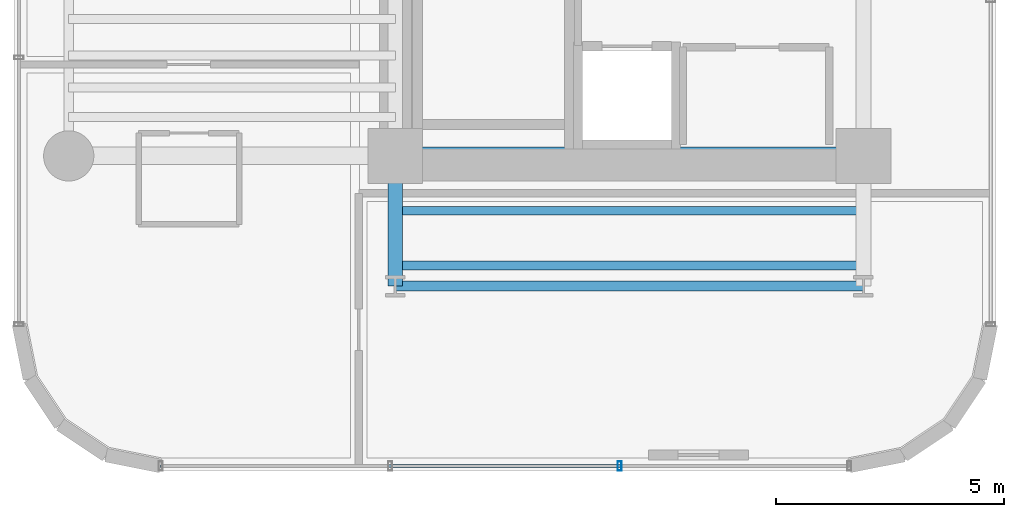
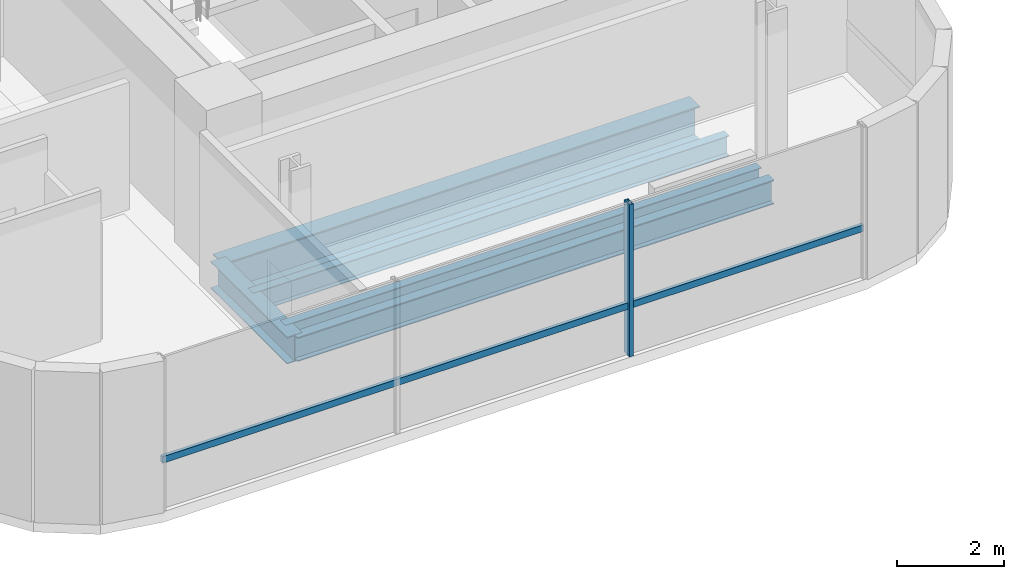
# One storey, part 3 of 35: 5 beams, 2 members, 1 element without a shape of its own.
"""IFC4 building model written with IfcOpenShell, lengths in metres."""

from ifc_helpers import new_model, si_unit, direction, frame, origin, origin_2d, place, context, subcontext, project, spatial, hollow_rectangle, i_section, extrude, source, transform, mapped, material, material_profile, profile_set, type_object, element, aggregate, save


model = new_model("IFC4")

# Units and contexts
model_context = context("Model", 3, precision=1e-05, world=origin(), true_north=direction((0.0, 1.0)))
body_context = subcontext(model_context, "Body", "Model", "MODEL_VIEW")
ifc_project = project(units=[si_unit("LENGTHUNIT", "METRE"), si_unit("AREAUNIT", "SQUARE_METRE"), si_unit("VOLUMEUNIT", "CUBIC_METRE"), si_unit("PLANEANGLEUNIT", "RADIAN"), si_unit("MASSUNIT", "GRAM", prefix="KILO")], contexts=[model_context])

# Site, building, storey
site_placement = place(None, origin())
site = spatial("IfcSite", under=ifc_project, at=site_placement, CompositionType="ELEMENT")
building_placement = place(site_placement, origin())
building = spatial("IfcBuilding", under=site, at=building_placement, Name="Valdorenza Pilgrim Sanctuary Tower", CompositionType="ELEMENT")
storey_placement = place(building_placement, frame((0.0, 0.0, 113.10009765625)))
storey = spatial("IfcBuildingStorey", under=building, at=storey_placement, Name="L28", CompositionType="ELEMENT", Elevation=113.10009765625)

# Beams
ifc_material_1 = material(Name="Steel ASTM A992 Grade 50", Category="steel")
ifc_material_profile_1 = material_profile(ifc_material_1, i_section(OverallWidth=0.214111328125, OverallDepth=0.549072265625, WebThickness=0.0146484375, FlangeThickness=0.023681640625, at=origin_2d()), Name="W21X93")
ifc_profile_set_1 = profile_set([ifc_material_profile_1], Name="Steel ASTM A992 Grade 50")
beam_type_1 = type_object("IfcBeamType", Name="STR-BM-SPN-W21A", PredefinedType="SPANDREL", material=ifc_profile_set_1)
shared_shape_1 = source(origin(), body_context, "Body", "SweptSolid", [
    extrude(i_section(OverallWidth=0.214111328125, OverallDepth=0.549072265625, WebThickness=0.0146484375, FlangeThickness=0.023681640625, at=origin_2d()), origin(), (0.0, 0.0, 1.0), 10.25),
])
beam_1_placement = place(storey_placement, frame((-22.64990234375, -13.449951171875, -0.5146484375), z_axis=(1.0, 0.0, 0.0), x_axis=(0.0, 1.0, 0.0)))
element("IfcBeam", 1, at=beam_1_placement, inside=storey, type_object=beam_type_1, Name="L28 South Spandrel WA-S-TIE", PredefinedType="SPANDREL", context=body_context, shape_type="MappedRepresentation", body=[
    mapped(shared_shape_1, transform((0.0, 0.0, 0.0), x_axis=(1.0, 0.0, 0.0), y_axis=(0.0, 1.0, 0.0), z_axis=(0.0, 0.0, 1.0), scale=1.0)),
])
ifc_material_profile_2 = material_profile(ifc_material_1, i_section(OverallWidth=0.323974609375, OverallDepth=0.611083984375, WebThickness=0.0126953125, FlangeThickness=0.01904296875, at=origin_2d()), Name="W24X104")
ifc_profile_set_2 = profile_set([ifc_material_profile_2], Name="Steel ASTM A992 Grade 50")
beam_type_2 = type_object("IfcBeamType", Name="STR-BM-GRD-W24B", PredefinedType="BEAM", material=ifc_profile_set_2)
shared_shape_2 = source(origin(), body_context, "Body", "SweptSolid", [
    extrude(i_section(OverallWidth=0.323974609375, OverallDepth=0.611083984375, WebThickness=0.0126953125, FlangeThickness=0.01904296875, at=origin_2d()), origin(), (0.0, 0.0, 1.0), 2.849853515625),
])
beam_2_placement = place(storey_placement, frame((-22.64990234375, -13.449951171875, -0.545654296875), z_axis=(0.0, 1.0, 0.0), x_axis=(-1.0, 0.0, 0.0)))
element("IfcBeam", 2, at=beam_2_placement, inside=storey, type_object=beam_type_2, Name="L28 Floor Girder WA-S-LW", PredefinedType="BEAM", context=body_context, shape_type="MappedRepresentation", body=[
    mapped(shared_shape_2, transform((0.0, 0.0, 0.0), x_axis=(1.0, 0.0, 0.0), y_axis=(0.0, 1.0, 0.0), z_axis=(0.0, 0.0, 1.0), scale=1.0)),
])
ifc_material_profile_3 = material_profile(ifc_material_1, i_section(OverallWidth=0.382080078125, OverallDepth=0.779052734375, WebThickness=0.01806640625, FlangeThickness=0.030029296875, at=origin_2d()), Name="W30X191")
ifc_profile_set_3 = profile_set([ifc_material_profile_3], Name="Steel ASTM A992 Grade 50")
beam_type_3 = type_object("IfcBeamType", Name="STR-BM-GRD-W30", PredefinedType="BEAM", material=ifc_profile_set_3)
shared_shape_3 = source(origin(), body_context, "Body", "SweptSolid", [
    extrude(i_section(OverallWidth=0.382080078125, OverallDepth=0.779052734375, WebThickness=0.01806640625, FlangeThickness=0.030029296875, at=origin_2d()), origin(), (0.0, 0.0, 1.0), 10.25),
])
beam_3_placement = place(storey_placement, frame((-22.64990234375, -10.60009765625, -0.629638671875), z_axis=(1.0, 0.0, 0.0), x_axis=(0.0, 1.0, 0.0)))
element("IfcBeam", 3, at=beam_3_placement, inside=storey, type_object=beam_type_3, Name="L28 Floor Girder CA-XC-S1", PredefinedType="BEAM", context=body_context, shape_type="MappedRepresentation", body=[
    mapped(shared_shape_3, transform((0.0, 0.0, 0.0), x_axis=(1.0, 0.0, 0.0), y_axis=(0.0, 1.0, 0.0), z_axis=(0.0, 0.0, 1.0), scale=1.0)),
])
ifc_material_profile_4 = material_profile(ifc_material_1, i_section(OverallWidth=0.19091796875, OverallDepth=0.45703125, WebThickness=0.009033203125, FlangeThickness=0.014404296875, at=origin_2d()), Name="W18X50")
ifc_profile_set_4 = profile_set([ifc_material_profile_4], Name="Steel ASTM A992 Grade 50")
beam_type_4 = type_object("IfcBeamType", Name="STR-BM-JST-W18B", PredefinedType="JOIST", material=ifc_profile_set_4)
shared_shape_4 = source(origin(), body_context, "Body", "SweptSolid", [
    extrude(i_section(OverallWidth=0.19091796875, OverallDepth=0.45703125, WebThickness=0.009033203125, FlangeThickness=0.014404296875, at=origin_2d()), origin(), (0.0, 0.0, 1.0), 10.25),
])
for number, where, z_axis, x_axis, name in (
    (4, (-22.64990234375, -13.0, -0.468505859375), (1.0, 0.0, 0.0), (0.0, 1.0, 0.0), "L28 Composite Floor Joist JST-WAS-1"),
    (5, (-22.64990234375, -11.800048828125, -0.468505859375), (1.0, 0.0, 0.0), (0.0, 1.0, 0.0), "L28 Composite Floor Joist JST-WAS-2"),
):
    element("IfcBeam", number, at=place(storey_placement, frame(where, z_axis=z_axis, x_axis=x_axis)), inside=storey, type_object=beam_type_4, Name=name, PredefinedType="JOIST", context=body_context, shape_type="MappedRepresentation", body=[
        mapped(shared_shape_4, transform((0.0, 0.0, 0.0), x_axis=(1.0, 0.0, 0.0), y_axis=(0.0, 1.0, 0.0), z_axis=(0.0, 0.0, 1.0), scale=1.0)),
    ])

# Curtain wall, members
ifc_material_2 = material(Name="Curtain-wall IGU glazing", Category="glass")
curtain_wall_type = type_object("IfcCurtainWallType", Name="CW-SYS-02", PredefinedType="NOTDEFINED", material=ifc_material_2)
curtain_wall_placement = place(storey_placement, origin())
curtain_wall = element("IfcCurtainWall", 6, at=curtain_wall_placement, inside=storey, type_object=curtain_wall_type, Name="L28 Curtain Wall CW-L28-1-46", PredefinedType="NOTDEFINED")
ifc_material_3 = material(Name="Anodised aluminium AW-6060", Category="aluminium")
ifc_material_profile_5 = material_profile(ifc_material_3, hollow_rectangle(XDim=0.0849609375, YDim=0.199951171875, WallThickness=0.0048828125, at=origin_2d()), Name="ALU-M 200x85x5")
ifc_profile_set_5 = profile_set([ifc_material_profile_5], Name="Anodised aluminium AW-6060")
member_type_1 = type_object("IfcMemberType", Name="CW-MUL-02", PredefinedType="MULLION", material=ifc_profile_set_5)
shared_shape_5 = source(origin(), body_context, "Body", "SweptSolid", [
    extrude(hollow_rectangle(XDim=0.0849609375, YDim=0.199951171875, WallThickness=0.0048828125, at=origin_2d()), origin(), (0.0, 0.0, 1.0), 3.4599609375),
])
member_1_placement = place(storey_placement, frame((-17.73681640625, -17.389892578125, 0.0), z_axis=(0.0, 0.0, 1.0), x_axis=(-1.0, 0.0, 0.0)))
member_1 = element("IfcMember", 7, at=member_1_placement, type_object=member_type_1, Name="CW-L28-1-46 Mullion 2", PredefinedType="MULLION", context=body_context, shape_type="MappedRepresentation", body=[
    mapped(shared_shape_5, transform((0.0, 0.0, 0.0), x_axis=(1.0, 0.0, 0.0), y_axis=(0.0, 1.0, 0.0), z_axis=(0.0, 0.0, 1.0), scale=1.0)),
])
ifc_material_profile_6 = material_profile(ifc_material_3, hollow_rectangle(XDim=0.074951171875, YDim=0.14990234375, WallThickness=0.00390625, at=origin_2d()), Name="ALU-T 150x75x4")
ifc_profile_set_6 = profile_set([ifc_material_profile_6], Name="Anodised aluminium AW-6060")
member_type_2 = type_object("IfcMemberType", Name="CW-TRN-02", PredefinedType="USERDEFINED", material=ifc_profile_set_6)
shared_shape_6 = source(origin(), body_context, "Body", "SweptSolid", [
    extrude(hollow_rectangle(XDim=0.074951171875, YDim=0.14990234375, WallThickness=0.00390625, at=origin_2d()), origin(), (0.0, 0.0, 1.0), 15.07861328125),
])
member_2_placement = place(storey_placement, frame((-12.710693359375, -17.389892578125, 1.119873046875), z_axis=(-1.0, 0.0, 0.0), x_axis=(0.0, -1.0, 0.0)))
member_2 = element("IfcMember", 8, at=member_2_placement, type_object=member_type_2, Name="CW-L28-1-46 Transom 1", ObjectType="TRANSOM", PredefinedType="USERDEFINED", context=body_context, shape_type="MappedRepresentation", body=[
    mapped(shared_shape_6, transform((0.0, 0.0, 0.0), x_axis=(1.0, 0.0, 0.0), y_axis=(0.0, 1.0, 0.0), z_axis=(0.0, 0.0, 1.0), scale=1.0)),
])
aggregate(curtain_wall, [member_1, member_2])

save(model, "model.ifc")
